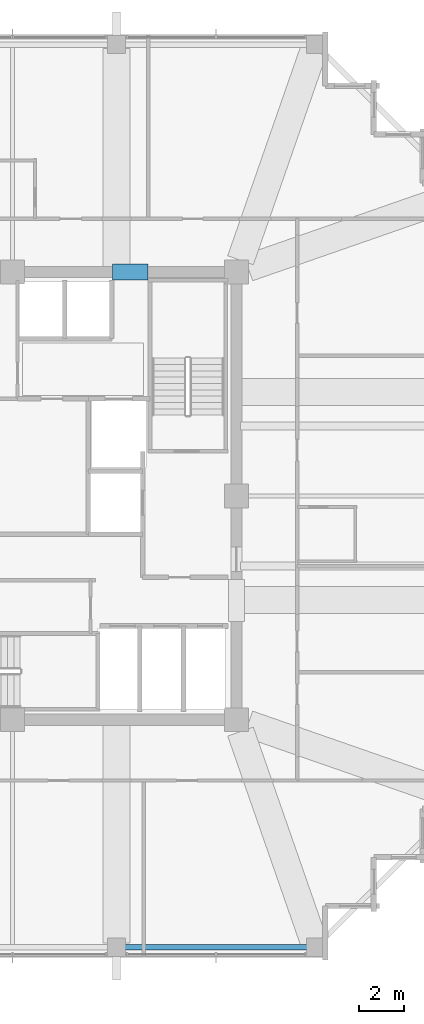
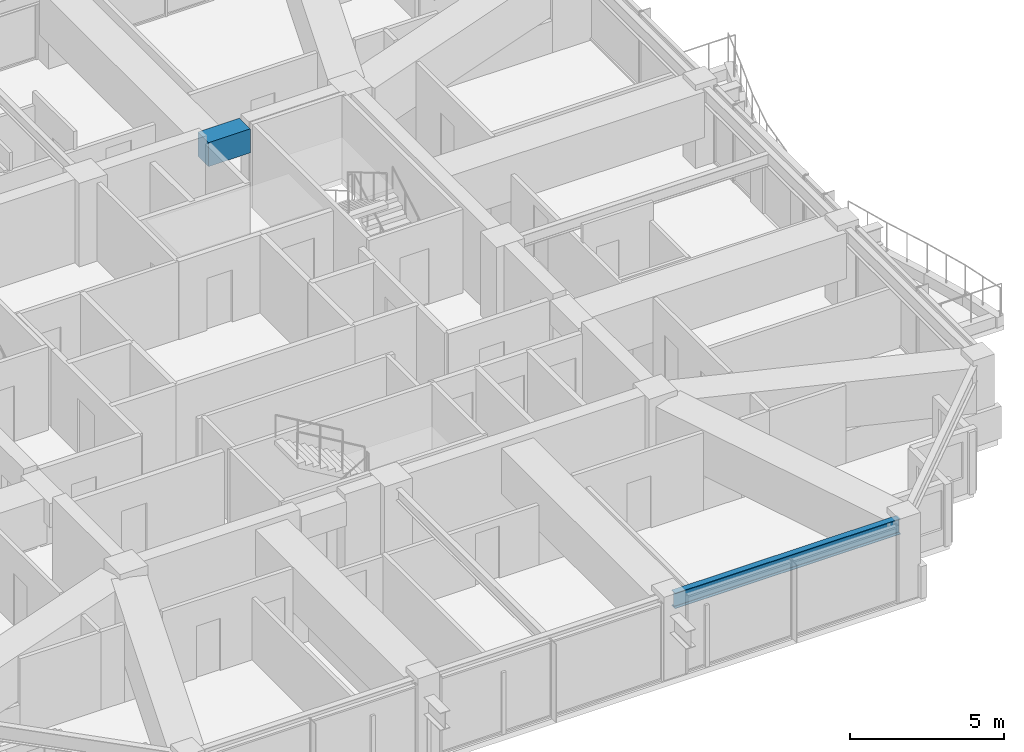
# One storey, part 10 of 35: 2 beams.
"""IFC4 building model written with IfcOpenShell, lengths in metres."""

from ifc_helpers import new_model, si_unit, direction, frame, origin, origin_2d, place, context, subcontext, project, spatial, rectangle, i_section, extrude, material, material_profile, profile_set, type_object, element, save


model = new_model("IFC4")

# Units and contexts
model_context = context("Model", 3, precision=1e-05, world=origin(), true_north=direction((0.0, 1.0)))
body_context = subcontext(model_context, "Body", "Model", "MODEL_VIEW")
ifc_project = project(units=[si_unit("LENGTHUNIT", "METRE"), si_unit("AREAUNIT", "SQUARE_METRE"), si_unit("VOLUMEUNIT", "CUBIC_METRE"), si_unit("PLANEANGLEUNIT", "RADIAN"), si_unit("MASSUNIT", "GRAM", prefix="KILO")], contexts=[model_context])

# Site, building, storey
site_placement = place(None, origin())
site = spatial("IfcSite", under=ifc_project, at=site_placement, CompositionType="ELEMENT")
building_placement = place(site_placement, origin())
building = spatial("IfcBuilding", under=site, at=building_placement, Name="Kolvaren Belvedere", CompositionType="ELEMENT")
storey_placement = place(building_placement, frame((0.0, 0.0, 203.10009765625)))
storey = spatial("IfcBuildingStorey", under=building, at=storey_placement, Name="L59", CompositionType="ELEMENT", Elevation=203.10009765625)

# Beams
ifc_material_1 = material(Name="Concrete C60/75", Category="concrete")
ifc_material_profile_1 = material_profile(ifc_material_1, rectangle(XDim=0.699951171875, YDim=0.949951171875, at=origin_2d()), Name="RC 700X950")
ifc_profile_set_1 = profile_set([ifc_material_profile_1], Name="Concrete C60/75")
beam_type_1 = type_object("IfcBeamType", Name="BM-LINT-950", PredefinedType="LINTEL", material=ifc_profile_set_1)
beam_1_placement = place(storey_placement, frame((4.419921875, 9.89990234375, 2.60498046875), z_axis=(1.0, 0.0, 0.0), x_axis=(0.0, 1.0, 0.0)))
element("IfcBeam", 1, at=beam_1_placement, inside=storey, type_object=beam_type_1, Name="L59 North Core Coupling Lintel", PredefinedType="LINTEL", context=body_context, shape_type="SweptSolid", body=[
    extrude(rectangle(XDim=0.699951171875, YDim=0.949951171875, at=origin_2d()), origin(), (0.0, 0.0, 1.0), 1.56005859375),
])
ifc_material_2 = material(Name="Structural steel ASTM A992 Grade 50", Category="steel")
ifc_material_profile_2 = material_profile(ifc_material_2, i_section(OverallWidth=0.22900390625, OverallDepth=0.612060546875, WebThickness=0.011962890625, FlangeThickness=0.01953125, FilletRadius=0.01806640625, at=origin_2d()), Name="W24X84")
ifc_profile_set_2 = profile_set([ifc_material_profile_2], Name="Structural steel ASTM A992 Grade 50")
beam_type_2 = type_object("IfcBeamType", Name="BM-SPAN-W24X84", PredefinedType="SPANDREL", material=ifc_profile_set_2)
beam_2_placement = place(storey_placement, frame((4.780029296875, -19.949951171875, 2.77392578125), z_axis=(1.0, 0.0, 0.0), x_axis=(0.0, 1.0, 0.0)))
element("IfcBeam", 2, at=beam_2_placement, inside=storey, type_object=beam_type_2, Name="L59 Perimeter Spandrel S3-S4", PredefinedType="SPANDREL", context=body_context, shape_type="SweptSolid", body=[
    extrude(i_section(OverallWidth=0.22900390625, OverallDepth=0.612060546875, WebThickness=0.011962890625, FlangeThickness=0.01953125, FilletRadius=0.01806640625, at=origin_2d()), origin(), (0.0, 0.0, 1.0), 8.43994140625),
])

save(model, "model.ifc")
